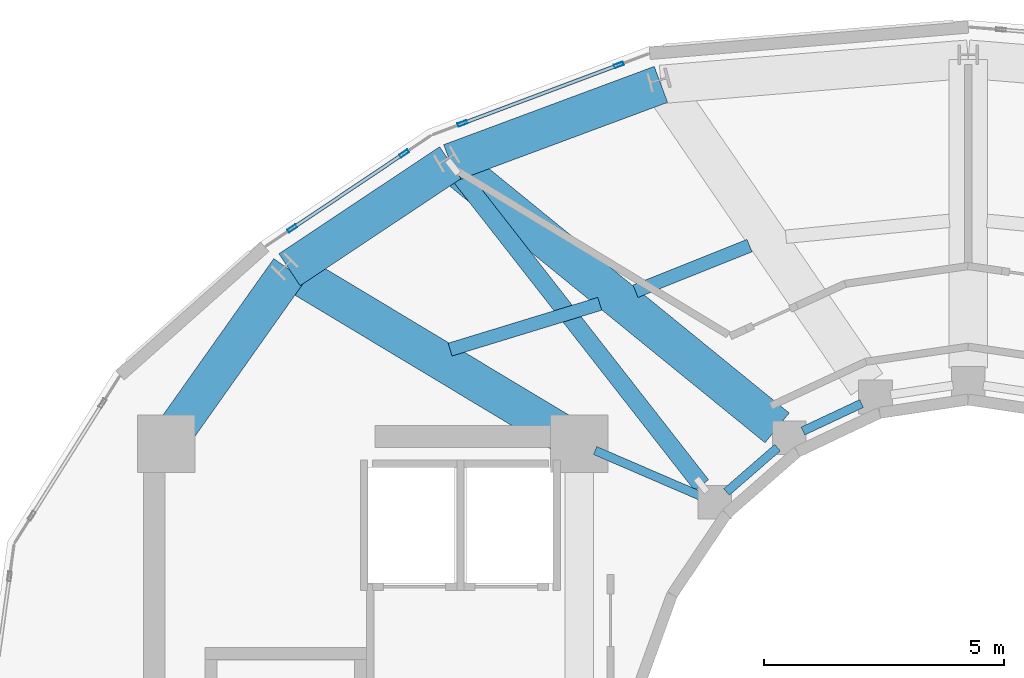
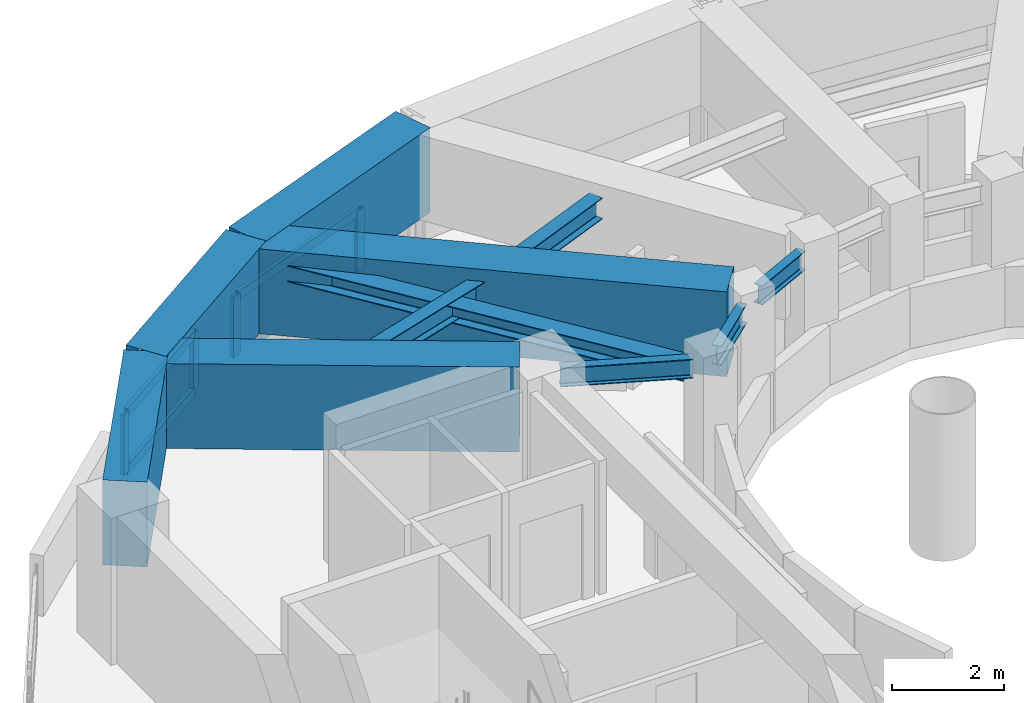
# One storey, part 8 of 18: 10 beams, 9 members, 2 elements without a shape of their own.
"""IFC4 building model written with IfcOpenShell, lengths in metres."""

from ifc_helpers import new_model, si_unit, direction, frame, origin, origin_2d, place, context, subcontext, project, spatial, rectangle, hollow_rectangle, i_section, extrude, material, layer, layer_set, material_profile, profile_set, type_object, element, aggregate, save


model = new_model("IFC4")

# Units and contexts
model_context = context("Model", 3, precision=1e-05, world=origin(), true_north=direction((0.0, 1.0)))
body_context = subcontext(model_context, "Body", "Model", "MODEL_VIEW")
ifc_project = project(units=[si_unit("LENGTHUNIT", "METRE"), si_unit("AREAUNIT", "SQUARE_METRE"), si_unit("VOLUMEUNIT", "CUBIC_METRE"), si_unit("PLANEANGLEUNIT", "RADIAN"), si_unit("MASSUNIT", "GRAM", prefix="KILO")], contexts=[model_context])

# Site, building, storey
site_placement = place(None, origin())
site = spatial("IfcSite", under=ifc_project, at=site_placement, CompositionType="ELEMENT")
building_placement = place(site_placement, origin())
building = spatial("IfcBuilding", under=site, at=building_placement, Name="Solvane Sanctuary Tower", CompositionType="ELEMENT")
storey_placement = place(building_placement, frame((0.0, 0.0, 266.800048828125)))
storey = spatial("IfcBuildingStorey", under=building, at=storey_placement, Name="L81", CompositionType="ELEMENT", Elevation=266.800048828125)

# Beams
ifc_material_1 = material(Name="Steel ASTM A992 Grade 50", Category="steel")
ifc_material_profile_1 = material_profile(ifc_material_1, i_section(OverallWidth=0.180908203125, OverallDepth=0.4169921875, WebThickness=0.010986328125, FlangeThickness=0.018310546875, FilletRadius=0.012939453125, at=origin_2d()), Name="W16X57")
ifc_profile_set_1 = profile_set([ifc_material_profile_1], Name="Steel ASTM A992 Grade 50")
beam_type_1 = type_object("IfcBeamType", Name="Beam B-ROOF-BM W16X57", PredefinedType="BEAM", material=ifc_profile_set_1)
beam_1_placement = place(storey_placement, frame((24.230712890625, 30.0576171875, 2.7294921875), z_axis=(0.918283854026, -0.395922673554, 0.0), x_axis=(0.395922673554, 0.918283854026, 0.0)))
element("IfcBeam", 1, at=beam_1_placement, inside=storey, type_object=beam_type_1, Name="L81 Inner Light-Well Ring Beam CW3-IC07", PredefinedType="BEAM", context=body_context, shape_type="SweptSolid", body=[
    extrude(i_section(OverallWidth=0.180908203125, OverallDepth=0.4169921875, WebThickness=0.010986328125, FlangeThickness=0.018310546875, FilletRadius=0.012939453125, at=origin_2d()), origin(), (0.0, 0.0, 1.0), 2.396240234375),
])
beam_2_placement = place(storey_placement, frame((26.96630859375, 29.192138671875, 2.7294921875), z_axis=(0.754388985763, 0.656427648839, 0.0), x_axis=(-0.656427648839, 0.754388985763, 0.0)))
element("IfcBeam", 2, at=beam_2_placement, inside=storey, type_object=beam_type_1, Name="L81 Inner Light-Well Ring Beam IC07-IC06", PredefinedType="BEAM", context=body_context, shape_type="SweptSolid", body=[
    extrude(i_section(OverallWidth=0.180908203125, OverallDepth=0.4169921875, WebThickness=0.010986328125, FlangeThickness=0.018310546875, FilletRadius=0.012939453125, at=origin_2d()), origin(), (0.0, 0.0, 1.0), 1.408203125),
])
beam_3_placement = place(storey_placement, frame((28.5595703125, 30.462646484375, 2.7294921875), z_axis=(0.905134542189, 0.425125229241, 0.0), x_axis=(-0.425125229241, 0.905134542189, 0.0)))
element("IfcBeam", 3, at=beam_3_placement, inside=storey, type_object=beam_type_1, Name="L81 Inner Light-Well Ring Beam IC06-IC05", PredefinedType="BEAM", context=body_context, shape_type="SweptSolid", body=[
    extrude(i_section(OverallWidth=0.180908203125, OverallDepth=0.4169921875, WebThickness=0.010986328125, FlangeThickness=0.018310546875, FilletRadius=0.012939453125, at=origin_2d()), origin(), (0.0, 0.0, 1.0), 1.347900390625),
])
ifc_material_profile_2 = material_profile(ifc_material_1, i_section(OverallWidth=0.280029296875, OverallDepth=0.462890625, WebThickness=0.0107421875, FlangeThickness=0.017333984375, FilletRadius=0.013916015625, at=origin_2d()), Name="W18X76")
ifc_profile_set_2 = profile_set([ifc_material_profile_2], Name="Steel ASTM A992 Grade 50")
beam_type_2 = type_object("IfcBeamType", Name="Beam B-SEC-JOIST W18X76", PredefinedType="JOIST", material=ifc_profile_set_2)
beam_4_placement = place(storey_placement, frame((21.210693359375, 32.1591796875, 2.70654296875), z_axis=(0.956282926946, 0.292443094689, 0.0), x_axis=(-0.292443094689, 0.956282926946, 0.0)))
element("IfcBeam", 4, at=beam_4_placement, inside=storey, type_object=beam_type_2, Name="L81 Secondary Circumferential Joist 07-06", PredefinedType="JOIST", context=body_context, shape_type="SweptSolid", body=[
    extrude(i_section(OverallWidth=0.280029296875, OverallDepth=0.462890625, WebThickness=0.0107421875, FlangeThickness=0.017333984375, FilletRadius=0.013916015625, at=origin_2d()), origin(), (0.0, 0.0, 1.0), 3.25927734375),
])
beam_5_placement = place(storey_placement, frame((25.07177734375, 33.37451171875, 2.70654296875), z_axis=(0.928509610191, 0.37130836751, 0.0), x_axis=(-0.37130836751, 0.928509610191, 0.0)))
element("IfcBeam", 5, at=beam_5_placement, inside=storey, type_object=beam_type_2, Name="L81 Secondary Circumferential Joist 06-05", PredefinedType="JOIST", context=body_context, shape_type="SweptSolid", body=[
    extrude(i_section(OverallWidth=0.280029296875, OverallDepth=0.462890625, WebThickness=0.0107421875, FlangeThickness=0.017333984375, FilletRadius=0.013916015625, at=origin_2d()), origin(), (0.0, 0.0, 1.0), 2.55712890625),
])
ifc_material_2 = material(Name="Concrete C70/85", Category="concrete")
ifc_material_profile_3 = material_profile(ifc_material_2, rectangle(XDim=0.800048828125, YDim=1.85009765625, at=origin_2d()), Name="RC800X1850")
ifc_profile_set_3 = profile_set([ifc_material_profile_3], Name="Concrete C70/85")
beam_type_3 = type_object("IfcBeamType", Name="Beam B-XFER-BLK RC800X1850", PredefinedType="BEAM", material=ifc_profile_set_3)
beam_6_placement = place(storey_placement, frame((28.021728515625, 30.528564453125, 2.27490234375), z_axis=(-0.775601292697, 0.631223125976, 0.0), x_axis=(-0.631223125976, -0.775601292697, 0.0)))
element("IfcBeam", 6, at=beam_6_placement, inside=storey, type_object=beam_type_3, Name="L81 Block-Shift Radial Transfer Girder 06A", PredefinedType="BEAM", context=body_context, shape_type="SweptSolid", body=[
    extrude(rectangle(XDim=0.800048828125, YDim=1.85009765625, at=origin_2d()), origin(), (0.0, 0.0, 1.0), 8.772705078125),
])
beam_7_placement = place(storey_placement, frame((23.591552734375, 30.385498046875, 2.27490234375), z_axis=(-0.857058376233, 0.515219312263, 0.0), x_axis=(-0.515219312263, -0.857058376233, 0.0)))
element("IfcBeam", 7, at=beam_7_placement, inside=storey, type_object=beam_type_3, Name="L81 Block-Shift Radial Transfer Girder 07A", PredefinedType="BEAM", context=body_context, shape_type="SweptSolid", body=[
    extrude(rectangle(XDim=0.800048828125, YDim=1.85009765625, at=origin_2d()), origin(), (0.0, 0.0, 1.0), 6.697021484375),
])
beam_8_placement = place(storey_placement, frame((15.508056640625, 30.493896484375, 2.27490234375), z_axis=(0.577972504219, 0.816056238483, 0.0), x_axis=(-0.816056238483, 0.577972504219, 0.0)))
element("IfcBeam", 8, at=beam_8_placement, inside=storey, type_object=beam_type_3, Name="L81 Perimeter Step Transfer Ring CW4-NTC07", PredefinedType="BEAM", context=body_context, shape_type="SweptSolid", body=[
    extrude(rectangle(XDim=0.800048828125, YDim=1.85009765625, at=origin_2d()), origin(), (0.0, 0.0, 1.0), 4.0791015625),
])
beam_9_placement = place(storey_placement, frame((17.86572265625, 33.82275390625, 2.27490234375), z_axis=(0.832637946712, 0.55381770439, 0.0), x_axis=(-0.55381770439, 0.832637946712, 0.0)))
element("IfcBeam", 9, at=beam_9_placement, inside=storey, type_object=beam_type_3, Name="L81 Perimeter Step Transfer Ring NTC07-NTC06", PredefinedType="BEAM", context=body_context, shape_type="SweptSolid", body=[
    extrude(rectangle(XDim=0.800048828125, YDim=1.85009765625, at=origin_2d()), origin(), (0.0, 0.0, 1.0), 4.0234375),
])
beam_10_placement = place(storey_placement, frame((21.2158203125, 36.051025390625, 2.27490234375), z_axis=(0.937305510039, 0.348508795944, 0.0), x_axis=(-0.348508795944, 0.937305510039, 0.0)))
element("IfcBeam", 10, at=beam_10_placement, inside=storey, type_object=beam_type_3, Name="L81 Perimeter Step Transfer Ring NTC06-NTC05", PredefinedType="BEAM", context=body_context, shape_type="SweptSolid", body=[
    extrude(rectangle(XDim=0.800048828125, YDim=1.85009765625, at=origin_2d()), origin(), (0.0, 0.0, 1.0), 4.678955078125),
])

# Member
ifc_material_profile_4 = material_profile(ifc_material_1, i_section(OverallWidth=0.368896484375, OverallDepth=0.35595703125, WebThickness=0.01123046875, FlangeThickness=0.01806640625, FilletRadius=0.02490234375, at=origin_2d()), Name="W14X90")
ifc_profile_set_4 = profile_set([ifc_material_profile_4], Name="Steel ASTM A992 Grade 50")
member_type_1 = type_object("IfcMemberType", Name="Member M-CROWN-TIE W14X90", PredefinedType="CHORD", material=ifc_profile_set_4)
member_1_placement = place(storey_placement, frame((26.4453125, 29.33984375, 2.54052734375), z_axis=(-0.615559369863, 0.787750922029, 0.023133244814), x_axis=(-0.787961787944, -0.615724143379, 0.0)))
element("IfcMember", 11, at=member_1_placement, inside=storey, type_object=member_type_1, Name="L81 Crown Bracing Tie 07", PredefinedType="CHORD", context=body_context, shape_type="SweptSolid", body=[
    extrude(i_section(OverallWidth=0.368896484375, OverallDepth=0.35595703125, WebThickness=0.01123046875, FlangeThickness=0.01806640625, FilletRadius=0.02490234375, at=origin_2d()), origin(), (0.0, 0.0, 1.0), 8.400634765625),
])

# Curtain wall, members
ifc_material_3 = material(Name="Anodised Aluminium 6063-T6", Category="aluminium")
ifc_layer = layer(ifc_material_3, 0.219970703125, Name="Anodised Aluminium 6063-T6")
ifc_layer_set = layer_set([ifc_layer], Name="Anodised Aluminium 6063-T6")
curtain_wall_type = type_object("IfcCurtainWallType", Name="Curtain Wall CW-CROWN", PredefinedType="NOTDEFINED", material=ifc_layer_set)
curtain_wall_1_placement = place(storey_placement, origin())
curtain_wall_1 = element("IfcCurtainWall", 12, at=curtain_wall_1_placement, inside=storey, type_object=curtain_wall_type, Name="L81 Crown Fritted Lantern Curtain Wall 07", PredefinedType="NOTDEFINED")
ifc_material_profile_5 = material_profile(ifc_material_3, hollow_rectangle(XDim=0.074951171875, YDim=0.199951171875, WallThickness=0.00390625, at=origin_2d()), Name="ALU200X75X4")
ifc_profile_set_5 = profile_set([ifc_material_profile_5], Name="Anodised Aluminium 6063-T6")
member_type_2 = type_object("IfcMemberType", Name="Member M-CW-MUL-1 ALU200X75X4", PredefinedType="MULLION", material=ifc_profile_set_5)
member_2_placement = place(storey_placement, frame((24.7255859375, 38.088134765625, 0.0), z_axis=(0.0, 0.0, 1.0), x_axis=(0.350836569959, -0.93643670431, 0.0)))
member_2 = element("IfcMember", 13, at=member_2_placement, type_object=member_type_2, Name="CW-CROWN mullion 1", PredefinedType="MULLION", context=body_context, shape_type="SweptSolid", body=[
    extrude(hollow_rectangle(XDim=0.074951171875, YDim=0.199951171875, WallThickness=0.00390625, at=origin_2d()), origin(), (0.0, 0.0, 1.0), 1.320068359375),
])
member_3_placement = place(storey_placement, frame((21.46875, 36.8681640625, 0.0), z_axis=(0.0, 0.0, 1.0), x_axis=(0.350836569959, -0.93643670431, 0.0)))
member_3 = element("IfcMember", 14, at=member_3_placement, type_object=member_type_2, Name="CW-CROWN mullion 2", PredefinedType="MULLION", context=body_context, shape_type="SweptSolid", body=[
    extrude(hollow_rectangle(XDim=0.074951171875, YDim=0.199951171875, WallThickness=0.00390625, at=origin_2d()), origin(), (0.0, 0.0, 1.0), 1.320068359375),
])

curtain_wall_2_placement = place(storey_placement, origin())
curtain_wall_2 = element("IfcCurtainWall", 15, at=curtain_wall_2_placement, inside=storey, type_object=curtain_wall_type, Name="L81 Crown Fritted Lantern Curtain Wall 08", PredefinedType="NOTDEFINED")
member_4_placement = place(storey_placement, frame((20.253662109375, 36.244140625, 0.0), z_axis=(0.0, 0.0, 1.0), x_axis=(0.556718484375, -0.830701227371, 0.0)))
member_4 = element("IfcMember", 16, at=member_4_placement, type_object=member_type_2, Name="CW-CROWN mullion 1", PredefinedType="MULLION", context=body_context, shape_type="SweptSolid", body=[
    extrude(hollow_rectangle(XDim=0.074951171875, YDim=0.199951171875, WallThickness=0.00390625, at=origin_2d()), origin(), (0.0, 0.0, 1.0), 1.320068359375),
])
member_5_placement = place(storey_placement, frame((17.924560546875, 34.68310546875, 0.0), z_axis=(0.0, 0.0, 1.0), x_axis=(0.556718484375, -0.830701227371, 0.0)))
member_5 = element("IfcMember", 17, at=member_5_placement, type_object=member_type_2, Name="CW-CROWN mullion 2", PredefinedType="MULLION", context=body_context, shape_type="SweptSolid", body=[
    extrude(hollow_rectangle(XDim=0.074951171875, YDim=0.199951171875, WallThickness=0.00390625, at=origin_2d()), origin(), (0.0, 0.0, 1.0), 1.320068359375),
])

# Member
ifc_material_profile_6 = material_profile(ifc_material_3, hollow_rectangle(XDim=0.074951171875, YDim=0.199951171875, WallThickness=0.00390625, at=origin_2d()), Name="ALU200X75X4")
ifc_profile_set_6 = profile_set([ifc_material_profile_6], Name="Anodised Aluminium 6063-T6")
member_type_3 = type_object("IfcMemberType", Name="Member M-CW-TRN-2 ALU200X75X4", PredefinedType="USERDEFINED", material=ifc_profile_set_6)
member_6_placement = place(storey_placement, frame((24.6904296875, 38.0751953125, 0.037353515625), z_axis=(-0.936411707224, -0.35090328379, 0.0), x_axis=(0.35090328379, -0.936411707224, 0.0)))
member_6 = element("IfcMember", 18, at=member_6_placement, type_object=member_type_3, Name="CW-CROWN transom 1.1", ObjectType="TRANSOM", PredefinedType="USERDEFINED", context=body_context, shape_type="SweptSolid", body=[
    extrude(hollow_rectangle(XDim=0.074951171875, YDim=0.199951171875, WallThickness=0.00390625, at=origin_2d()), origin(), (0.0, 0.0, 1.0), 3.40283203125),
])

member_7_placement = place(storey_placement, frame((24.6904296875, 38.0751953125, 1.282470703125), z_axis=(-0.936411707224, -0.35090328379, 0.0), x_axis=(0.35090328379, -0.936411707224, 0.0)))
member_7 = element("IfcMember", 19, at=member_7_placement, type_object=member_type_3, Name="CW-CROWN transom 1.2", ObjectType="TRANSOM", PredefinedType="USERDEFINED", context=body_context, shape_type="SweptSolid", body=[
    extrude(hollow_rectangle(XDim=0.074951171875, YDim=0.199951171875, WallThickness=0.00390625, at=origin_2d()), origin(), (0.0, 0.0, 1.0), 3.40283203125),
])

aggregate(curtain_wall_1, [member_2, member_3, member_6, member_7])

member_8_placement = place(storey_placement, frame((20.22265625, 36.22314453125, 0.037353515625), z_axis=(-0.830712886533, -0.556701086894, 0.0), x_axis=(0.556701086894, -0.830712886533, 0.0)))
member_8 = element("IfcMember", 20, at=member_8_placement, type_object=member_type_3, Name="CW-CROWN transom 1.1", ObjectType="TRANSOM", PredefinedType="USERDEFINED", context=body_context, shape_type="SweptSolid", body=[
    extrude(hollow_rectangle(XDim=0.074951171875, YDim=0.199951171875, WallThickness=0.00390625, at=origin_2d()), origin(), (0.0, 0.0, 1.0), 2.72900390625),
])

member_9_placement = place(storey_placement, frame((20.22265625, 36.22314453125, 1.282470703125), z_axis=(-0.830712886533, -0.556701086894, 0.0), x_axis=(0.556701086894, -0.830712886533, 0.0)))
member_9 = element("IfcMember", 21, at=member_9_placement, type_object=member_type_3, Name="CW-CROWN transom 1.2", ObjectType="TRANSOM", PredefinedType="USERDEFINED", context=body_context, shape_type="SweptSolid", body=[
    extrude(hollow_rectangle(XDim=0.074951171875, YDim=0.199951171875, WallThickness=0.00390625, at=origin_2d()), origin(), (0.0, 0.0, 1.0), 2.72900390625),
])

aggregate(curtain_wall_2, [member_4, member_5, member_8, member_9])

save(model, "model.ifc")
